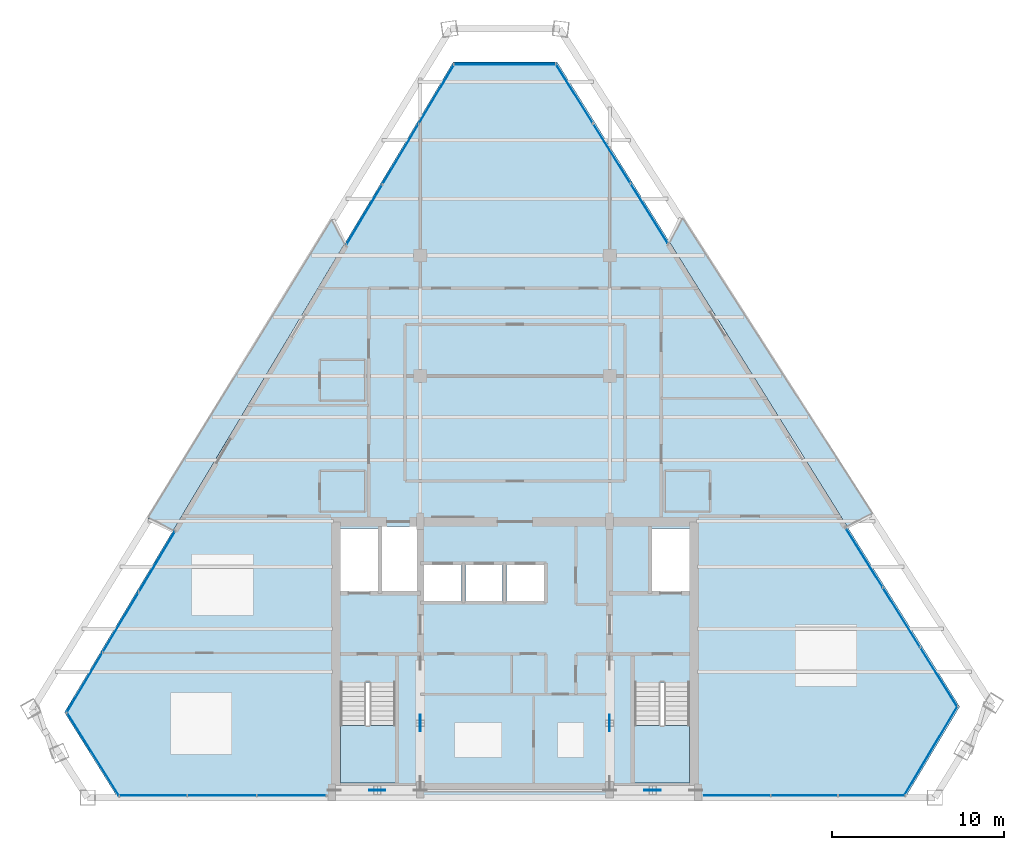
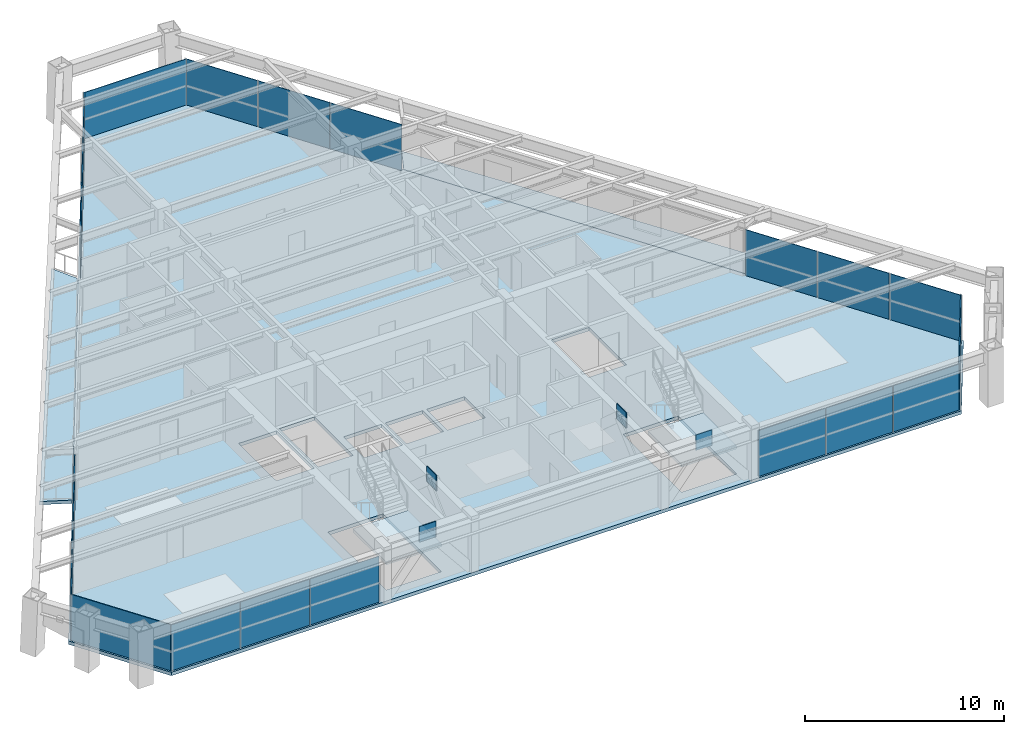
# One storey, part 7 of 12: 25 plates, 5 slabs, 11 elements without a shape of their own.
"""IFC4 building model written with IfcOpenShell, lengths in metres."""

from ifc_helpers import new_model, si_unit, direction, frame, origin, origin_2d, place, context, subcontext, project, spatial, polyline, rectangle, outline, extrude, source, transform, mapped, material, layer, layer_set, type_object, element, aggregate, save


model = new_model("IFC4")

# Units and contexts
model_context = context("Model", 3, precision=1e-05, world=origin(), true_north=direction((0.0, 1.0)))
body_context = subcontext(model_context, "Body", "Model", "MODEL_VIEW")
ifc_project = project(units=[si_unit("LENGTHUNIT", "METRE"), si_unit("AREAUNIT", "SQUARE_METRE"), si_unit("VOLUMEUNIT", "CUBIC_METRE"), si_unit("PLANEANGLEUNIT", "RADIAN"), si_unit("MASSUNIT", "GRAM", prefix="KILO")], contexts=[model_context])

# Site, building, storey
site_placement = place(None, origin())
site = spatial("IfcSite", under=ifc_project, at=site_placement, CompositionType="ELEMENT")
building_placement = place(site_placement, origin())
building = spatial("IfcBuilding", under=site, at=building_placement, Name="Varnakhor Terracotta Tower", CompositionType="ELEMENT")
storey_placement = place(building_placement, frame((0.0, 0.0, 223.449951171875)))
storey = spatial("IfcBuildingStorey", under=building, at=storey_placement, Name="L57", CompositionType="ELEMENT", Elevation=223.449951171875)

# Slab
ifc_material_1 = material(Name="Concrete C40/50", Category="concrete")
ifc_layer_1 = layer(ifc_material_1, 0.2099609375, Name="Concrete C40/50")
ifc_layer_set_1 = layer_set([ifc_layer_1], Name="Concrete C40/50")
slab_type_1 = type_object("IfcSlabType", Name="SLB-HTL-210", PredefinedType="FLOOR", material=ifc_layer_set_1)
slab_1_placement = place(storey_placement, frame((0.0, 0.0, -0.2099609375)))
element("IfcSlab", 1, at=slab_1_placement, inside=storey, type_object=slab_type_1, Name="L57 Structural Floor Slab", PredefinedType="FLOOR", context=body_context, shape_type="SweptSolid", body=[
    extrude(outline(polyline([(-26.18115234375, 4.956298828125), (-3.592041015625, 42.739990234375), (2.450927734375, 42.739990234375), (25.844970703125, 5.282470703125), (22.68701171875, 0.0), (-23.085693359375, 0.0), (-26.18115234375, 4.956298828125)]), holes=[polyline([(-6.949951171875, 0.85009765625), (-6.949951171875, 6.695068359375), (-10.14990234375, 6.695068359375), (-10.14990234375, 0.85009765625), (-6.949951171875, 0.85009765625)]), polyline([(10.14990234375, 0.85009765625), (10.14990234375, 6.695068359375), (6.949951171875, 6.695068359375), (6.949951171875, 0.85009765625), (10.14990234375, 0.85009765625)]), polyline([(-3.10009765625, 11.419921875), (-3.10009765625, 13.52001953125), (-5.300048828125, 13.52001953125), (-5.300048828125, 11.419921875), (-3.10009765625, 11.419921875)]), polyline([(-0.719970703125, 11.419921875), (-0.719970703125, 13.52001953125), (-2.8798828125, 13.52001953125), (-2.8798828125, 11.419921875), (-0.719970703125, 11.419921875)]), polyline([(1.699951171875, 11.419921875), (1.699951171875, 13.52001953125), (-0.5, 13.52001953125), (-0.5, 11.419921875), (1.699951171875, 11.419921875)]), polyline([(-7.949951171875, 11.8798828125), (-7.949951171875, 15.64990234375), (-10.14990234375, 15.64990234375), (-10.14990234375, 11.8798828125), (-7.949951171875, 11.8798828125)]), polyline([(10.14990234375, 11.8798828125), (10.14990234375, 15.64990234375), (7.949951171875, 15.64990234375), (7.949951171875, 11.8798828125), (10.14990234375, 11.8798828125)]), polyline([(-5.699951171875, 11.8798828125), (-5.699951171875, 15.75), (-7.72998046875, 15.75), (-7.72998046875, 11.8798828125), (-5.699951171875, 11.8798828125)])]), origin(), (0.0, 0.0, 1.0), 0.2099609375),
])

# Stair, slab
stair_type = type_object("IfcStairType", Name="STR-CORE-HOTEL-1500", PredefinedType="HALF_TURN_STAIR", material=ifc_material_1)
stair_1_placement = place(storey_placement, origin())
stair_1 = element("IfcStair", 2, at=stair_1_placement, inside=storey, type_object=stair_type, Name="L57 Core Exit Stair ST-1", PredefinedType="HALF_TURN_STAIR")
ifc_layer_2 = layer(ifc_material_1, 0.179931640625, Name="Concrete C40/50")
ifc_layer_set_2 = layer_set([ifc_layer_2], Name="Concrete C40/50")
slab_type_2 = type_object("IfcSlabType", Name="SLB-LANDING-180", PredefinedType="LANDING", material=ifc_layer_set_2)
slab_2_placement = place(storey_placement, frame((0.0, 0.0, 1.525146484375)))
slab_2 = element("IfcSlab", 3, at=slab_2_placement, type_object=slab_type_2, Name="ST-1 landing 1", PredefinedType="LANDING", context=body_context, shape_type="SweptSolid", body=[
    extrude(outline(polyline([(-10.14990234375, 4.18994140625), (-10.14990234375, 0.85009765625), (-6.949951171875, 0.85009765625), (-6.949951171875, 4.18994140625), (-10.14990234375, 4.18994140625)])), origin(), (0.0, 0.0, 1.0), 0.199951171875),
])
aggregate(stair_1, [slab_2])

stair_2_placement = place(storey_placement, origin())
stair_2 = element("IfcStair", 4, at=stair_2_placement, inside=storey, type_object=stair_type, Name="L57 Core Exit Stair ST-2", PredefinedType="HALF_TURN_STAIR")
slab_3_placement = place(storey_placement, frame((0.0, 0.0, 1.525146484375)))
slab_3 = element("IfcSlab", 5, at=slab_3_placement, type_object=slab_type_2, Name="ST-2 landing 1", PredefinedType="LANDING", context=body_context, shape_type="SweptSolid", body=[
    extrude(outline(polyline([(6.949951171875, 4.18994140625), (6.949951171875, 0.85009765625), (10.14990234375, 0.85009765625), (10.14990234375, 4.18994140625), (6.949951171875, 4.18994140625)])), origin(), (0.0, 0.0, 1.0), 0.199951171875),
])
aggregate(stair_2, [slab_3])

# Slabs
ifc_layer_3 = layer(ifc_material_1, 0.195068359375, Name="Concrete C40/50")
ifc_layer_set_3 = layer_set([ifc_layer_3], Name="Concrete C40/50")
slab_type_3 = type_object("IfcSlabType", Name="SLB-LOGGIA-EXT-195", PredefinedType="FLOOR", material=ifc_layer_set_3)
slab_4_placement = place(storey_placement, frame((0.0, 0.0, -0.195068359375)))
element("IfcSlab", 6, at=slab_4_placement, inside=storey, type_object=slab_type_3, Name="L57 E Recessed Outdoor Loggia Slab", PredefinedType="FLOOR", context=body_context, shape_type="SweptSolid", body=[
    extrude(outline(polyline([(9.71337890625, 33.706298828125), (20.76708984375, 16.481689453125), (19.294677734375, 15.7705078125), (9.001220703125, 32.251953125), (9.71337890625, 33.706298828125)])), origin(), (0.0, 0.0, 1.0), 0.195068359375),
])
slab_5_placement = place(storey_placement, frame((0.0, 0.0, -0.195068359375)))
element("IfcSlab", 7, at=slab_5_placement, inside=storey, type_object=slab_type_3, Name="L57 W Recessed Outdoor Loggia Slab", PredefinedType="FLOOR", context=body_context, shape_type="SweptSolid", body=[
    extrude(outline(polyline([(-21.33935546875, 16.236083984375), (-10.633056640625, 33.610595703125), (-9.9169921875, 32.16064453125), (-11.05419921875, 30.25830078125), (-19.856201171875, 15.53564453125), (-21.33935546875, 16.236083984375)])), origin(), (0.0, 0.0, 1.0), 0.195068359375),
])

# Plates
ifc_material_2 = material(Name="Steel S460", Category="steel")
ifc_layer_4 = layer(ifc_material_2, 0.050048828125, Name="Steel S460")
ifc_layer_set_4 = layer_set([ifc_layer_4], Name="Steel S460")
plate_type_1 = type_object("IfcPlateType", Name="PLT-GUSSET-50", PredefinedType="USERDEFINED", material=ifc_layer_set_4)
shared_shape_1 = source(origin(), body_context, "Body", "SweptSolid", [
    extrude(rectangle(XDim=0.949951171875, YDim=0.044921875, at=origin_2d()), origin(), (0.0, 0.0, 1.0), 0.949951171875),
])
for number, where, z_axis, x_axis, name in (
    (8, (-8.0, 0.419921875, 2.615234375), (0.0, 0.0, 1.0), (1.0, 0.0, 0.0), "L57 Core Brace Apex Gusset CSW"),
    (9, (8.0, 0.419921875, 2.615234375), (0.0, 0.0, 1.0), (1.0, 0.0, 0.0), "L57 Core Brace Apex Gusset CSE"),
    (10, (-5.5, 4.324951171875, 2.615234375), (0.0, 0.0, 1.0), (0.0, 1.0, 0.0), "L57 Core Brace Apex Gusset CWW"),
    (11, (5.5, 4.324951171875, 2.615234375), (0.0, 0.0, 1.0), (0.0, 1.0, 0.0), "L57 Core Brace Apex Gusset CWE"),
):
    element("IfcPlate", number, at=place(storey_placement, frame(where, z_axis=z_axis, x_axis=x_axis)), inside=storey, type_object=plate_type_1, Name=name, ObjectType="GUSSET PLATE", PredefinedType="USERDEFINED", context=body_context, shape_type="MappedRepresentation", body=[
        mapped(shared_shape_1, transform((0.0, 0.0, 0.0), scale=1.0)),
    ])

# Curtain wall, plates
ifc_material_3 = material(Name="Anodised Aluminium Curtain Wall System", Category="aluminium")
curtain_wall_type = type_object("IfcCurtainWallType", Name="CW-SYS-HOTEL-LOGGIA", PredefinedType="NOTDEFINED", material=ifc_material_3)
curtain_wall_1_placement = place(storey_placement, origin())
curtain_wall_1 = element("IfcCurtainWall", 12, at=curtain_wall_1_placement, inside=storey, type_object=curtain_wall_type, Name="L57 W Facet Curtain Wall 1", PredefinedType="NOTDEFINED")
ifc_material_4 = material(Name="Solar-Control Low-E Insulated Glass Panel", Category="glass")
ifc_layer_5 = layer(ifc_material_4, 0.033935546875, Name="Solar-Control Low-E Insulated Glass Panel")
ifc_layer_set_5 = layer_set([ifc_layer_5], Name="Solar-Control Low-E Insulated Glass Panel")
plate_type_2 = type_object("IfcPlateType", Name="CWP-04", PredefinedType="CURTAIN_PANEL", material=ifc_layer_set_5)
shared_shape_2 = source(origin(), body_context, "Body", "SweptSolid", [
    extrude(rectangle(XDim=4.048583984375, YDim=0.035888671875, at=origin_2d()), origin(), (0.0, 0.0, 1.0), 2.820068359375),
])
plate_1_placement = place(storey_placement, frame((-25.013671875, 6.675048828125, 0.0), z_axis=(0.0, 0.0, 1.0), x_axis=(0.513136841492, 0.858306811055, 0.0)))
plate_1 = element("IfcPlate", 13, at=plate_1_placement, type_object=plate_type_2, Name="L57 W Facet Curtain Wall 1 Glazed Panel 1", PredefinedType="CURTAIN_PANEL", context=body_context, shape_type="MappedRepresentation", body=[
    mapped(shared_shape_2, transform((0.0, 0.0, 0.0), scale=1.0)),
])
plate_2_placement = place(storey_placement, frame((-22.91552734375, 10.184326171875, 0.0), z_axis=(0.0, 0.0, 1.0), x_axis=(0.513136841492, 0.858306811055, 0.0)))
plate_2 = element("IfcPlate", 14, at=plate_2_placement, type_object=plate_type_2, Name="L57 W Facet Curtain Wall 1 Glazed Panel 2", PredefinedType="CURTAIN_PANEL", context=body_context, shape_type="MappedRepresentation", body=[
    mapped(shared_shape_2, transform((0.0, 0.0, 0.0), scale=1.0)),
])

curtain_wall_2_placement = place(storey_placement, origin())
curtain_wall_2 = element("IfcCurtainWall", 15, at=curtain_wall_2_placement, inside=storey, type_object=curtain_wall_type, Name="L57 W Facet Curtain Wall 2", PredefinedType="NOTDEFINED")
plate_3_placement = place(storey_placement, frame((-8.74951171875, 33.87939453125, 0.0), z_axis=(0.0, 0.0, 1.0), x_axis=(0.513136841492, 0.858306811055, 0.0)))
plate_3 = element("IfcPlate", 16, at=plate_3_placement, type_object=plate_type_2, Name="L57 W Facet Curtain Wall 2 Glazed Panel 1", PredefinedType="CURTAIN_PANEL", context=body_context, shape_type="MappedRepresentation", body=[
    mapped(shared_shape_2, transform((0.0, 0.0, 0.0), scale=1.0)),
])
plate_4_placement = place(storey_placement, frame((-6.651611328125, 37.388916015625, 0.0), z_axis=(0.0, 0.0, 1.0), x_axis=(0.513136841492, 0.858306811055, 0.0)))
plate_4 = element("IfcPlate", 17, at=plate_4_placement, type_object=plate_type_2, Name="L57 W Facet Curtain Wall 2 Glazed Panel 2", PredefinedType="CURTAIN_PANEL", context=body_context, shape_type="MappedRepresentation", body=[
    mapped(shared_shape_2, transform((0.0, 0.0, 0.0), scale=1.0)),
])

# Plate
shared_shape_3 = source(origin(), body_context, "Body", "SweptSolid", [
    extrude(rectangle(XDim=4.048828125, YDim=0.035888671875, at=origin_2d()), origin(), (0.0, 0.0, 1.0), 2.820068359375),
])
plate_5_placement = place(storey_placement, frame((-20.8173828125, 13.693603515625, 0.0), z_axis=(0.0, 0.0, 1.0), x_axis=(0.513136841492, 0.858306811055, 0.0)))
plate_5 = element("IfcPlate", 18, at=plate_5_placement, type_object=plate_type_2, Name="L57 W Facet Curtain Wall 1 Glazed Panel 3", PredefinedType="CURTAIN_PANEL", context=body_context, shape_type="MappedRepresentation", body=[
    mapped(shared_shape_3, transform((0.0, 0.0, 0.0), scale=1.0)),
])

aggregate(curtain_wall_1, [plate_1, plate_2, plate_5])

plate_6_placement = place(storey_placement, frame((-4.553466796875, 40.898193359375, 0.0), z_axis=(0.0, 0.0, 1.0), x_axis=(0.513136841492, 0.858306811055, 0.0)))
plate_6 = element("IfcPlate", 19, at=plate_6_placement, type_object=plate_type_2, Name="L57 W Facet Curtain Wall 2 Glazed Panel 3", PredefinedType="CURTAIN_PANEL", context=body_context, shape_type="MappedRepresentation", body=[
    mapped(shared_shape_3, transform((0.0, 0.0, 0.0), scale=1.0)),
])

aggregate(curtain_wall_2, [plate_3, plate_4, plate_6])

# Curtain wall, plate
curtain_wall_3_placement = place(storey_placement, origin())
curtain_wall_3 = element("IfcCurtainWall", 20, at=curtain_wall_3_placement, inside=storey, type_object=curtain_wall_type, Name="L57 Facet Curtain Wall 2", PredefinedType="NOTDEFINED")
shared_shape_4 = source(origin(), body_context, "Body", "SweptSolid", [
    extrude(rectangle(XDim=5.943115234375, YDim=0.035888671875, at=origin_2d()), origin(), (0.0, 0.0, 1.0), 2.820068359375),
])
plate_7_placement = place(storey_placement, frame((-0.570556640625, 42.6201171875, 0.0), z_axis=(0.0, 0.0, 1.0), x_axis=(1.0, 0.0, 0.0)))
plate_7 = element("IfcPlate", 21, at=plate_7_placement, type_object=plate_type_2, Name="L57 Facet Curtain Wall 2 Glazed Panel 1", PredefinedType="CURTAIN_PANEL", context=body_context, shape_type="MappedRepresentation", body=[
    mapped(shared_shape_4, transform((0.0, 0.0, 0.0), scale=1.0)),
])
aggregate(curtain_wall_3, [plate_7])

# Curtain wall, plates
curtain_wall_4_placement = place(storey_placement, origin())
curtain_wall_4 = element("IfcCurtainWall", 22, at=curtain_wall_4_placement, inside=storey, type_object=curtain_wall_type, Name="L57 E Facet Curtain Wall 1", PredefinedType="NOTDEFINED")
shared_shape_5 = source(origin(), body_context, "Body", "SweptSolid", [
    extrude(rectangle(XDim=4.06201171875, YDim=0.035888671875, at=origin_2d()), origin(), (0.0, 0.0, 1.0), 2.820068359375),
])
plate_8_placement = place(storey_placement, frame((3.45166015625, 40.91162109375, 0.0), z_axis=(0.0, 0.0, 1.0), x_axis=(0.529726834585, -0.848168309194, 0.0)))
plate_8 = element("IfcPlate", 23, at=plate_8_placement, type_object=plate_type_2, Name="L57 E Facet Curtain Wall 1 Glazed Panel 1", PredefinedType="CURTAIN_PANEL", context=body_context, shape_type="MappedRepresentation", body=[
    mapped(shared_shape_5, transform((0.0, 0.0, 0.0), scale=1.0)),
])
plate_9_placement = place(storey_placement, frame((5.62451171875, 37.4326171875, 0.0), z_axis=(0.0, 0.0, 1.0), x_axis=(0.529726834585, -0.848168309194, 0.0)))
plate_9 = element("IfcPlate", 24, at=plate_9_placement, type_object=plate_type_2, Name="L57 E Facet Curtain Wall 1 Glazed Panel 2", PredefinedType="CURTAIN_PANEL", context=body_context, shape_type="MappedRepresentation", body=[
    mapped(shared_shape_5, transform((0.0, 0.0, 0.0), scale=1.0)),
])

curtain_wall_5_placement = place(storey_placement, origin())
curtain_wall_5 = element("IfcCurtainWall", 25, at=curtain_wall_5_placement, inside=storey, type_object=curtain_wall_type, Name="L57 E Facet Curtain Wall 2", PredefinedType="NOTDEFINED")
plate_10_placement = place(storey_placement, frame((20.295166015625, 13.942138671875, 0.0), z_axis=(0.0, 0.0, 1.0), x_axis=(0.529726834585, -0.848168309194, 0.0)))
plate_10 = element("IfcPlate", 26, at=plate_10_placement, type_object=plate_type_2, Name="L57 E Facet Curtain Wall 2 Glazed Panel 1", PredefinedType="CURTAIN_PANEL", context=body_context, shape_type="MappedRepresentation", body=[
    mapped(shared_shape_5, transform((0.0, 0.0, 0.0), scale=1.0)),
])
plate_11_placement = place(storey_placement, frame((24.640869140625, 6.98388671875, 0.0), z_axis=(0.0, 0.0, 1.0), x_axis=(0.529726834585, -0.848168309194, 0.0)))
plate_11 = element("IfcPlate", 27, at=plate_11_placement, type_object=plate_type_2, Name="L57 E Facet Curtain Wall 2 Glazed Panel 3", PredefinedType="CURTAIN_PANEL", context=body_context, shape_type="MappedRepresentation", body=[
    mapped(shared_shape_5, transform((0.0, 0.0, 0.0), scale=1.0)),
])

# Plate
shared_shape_6 = source(origin(), body_context, "Body", "SweptSolid", [
    extrude(rectangle(XDim=4.061767578125, YDim=0.035888671875, at=origin_2d()), origin(), (0.0, 0.0, 1.0), 2.820068359375),
])
plate_12_placement = place(storey_placement, frame((7.797119140625, 33.953369140625, 0.0), z_axis=(0.0, 0.0, 1.0), x_axis=(0.529726834585, -0.848168309194, 0.0)))
plate_12 = element("IfcPlate", 28, at=plate_12_placement, type_object=plate_type_2, Name="L57 E Facet Curtain Wall 1 Glazed Panel 3", PredefinedType="CURTAIN_PANEL", context=body_context, shape_type="MappedRepresentation", body=[
    mapped(shared_shape_6, transform((0.0, 0.0, 0.0), scale=1.0)),
])

aggregate(curtain_wall_4, [plate_8, plate_9, plate_12])

plate_13_placement = place(storey_placement, frame((22.468017578125, 10.462890625, 0.0), z_axis=(0.0, 0.0, 1.0), x_axis=(0.529726834585, -0.848168309194, 0.0)))
plate_13 = element("IfcPlate", 29, at=plate_13_placement, type_object=plate_type_2, Name="L57 E Facet Curtain Wall 2 Glazed Panel 2", PredefinedType="CURTAIN_PANEL", context=body_context, shape_type="MappedRepresentation", body=[
    mapped(shared_shape_6, transform((0.0, 0.0, 0.0), scale=1.0)),
])

aggregate(curtain_wall_5, [plate_10, plate_13, plate_11])

# Curtain wall, plate
curtain_wall_6_placement = place(storey_placement, origin())
curtain_wall_6 = element("IfcCurtainWall", 30, at=curtain_wall_6_placement, inside=storey, type_object=curtain_wall_type, Name="L57 Facet Curtain Wall 4", PredefinedType="NOTDEFINED")
shared_shape_7 = source(origin(), body_context, "Body", "SweptSolid", [
    extrude(rectangle(XDim=6.054443359375, YDim=0.035888671875, at=origin_2d()), origin(), (0.0, 0.0, 1.0), 2.820068359375),
])
plate_14_placement = place(storey_placement, frame((24.1630859375, 2.702880859375, 0.0), z_axis=(0.0, 0.0, 1.0), x_axis=(-0.513136841492, -0.858306811055, 0.0)))
plate_14 = element("IfcPlate", 31, at=plate_14_placement, type_object=plate_type_2, Name="L57 Facet Curtain Wall 4 Glazed Panel 1", PredefinedType="CURTAIN_PANEL", context=body_context, shape_type="MappedRepresentation", body=[
    mapped(shared_shape_7, transform((0.0, 0.0, 0.0), scale=1.0)),
])
aggregate(curtain_wall_6, [plate_14])

# Curtain wall, plates
curtain_wall_7_placement = place(storey_placement, origin())
curtain_wall_7 = element("IfcCurtainWall", 32, at=curtain_wall_7_placement, inside=storey, type_object=curtain_wall_type, Name="L57 South Wing Curtain Wall SSE", PredefinedType="NOTDEFINED")
shared_shape_8 = source(origin(), body_context, "Body", "SweptSolid", [
    extrude(rectangle(XDim=3.8623046875, YDim=0.035888671875, at=origin_2d()), origin(), (0.0, 0.0, 1.0), 2.820068359375),
])
plate_15_placement = place(storey_placement, frame((20.7255859375, 0.1201171875, 0.0), z_axis=(0.0, 0.0, 1.0), x_axis=(-1.0, 0.0, 0.0)))
plate_15 = element("IfcPlate", 33, at=plate_15_placement, type_object=plate_type_2, Name="L57 South Wing Curtain Wall SSE Glazed Panel 1", PredefinedType="CURTAIN_PANEL", context=body_context, shape_type="MappedRepresentation", body=[
    mapped(shared_shape_8, transform((0.0, 0.0, 0.0), scale=1.0)),
])
plate_16_placement = place(storey_placement, frame((16.823486328125, 0.1201171875, 0.0), z_axis=(0.0, 0.0, 1.0), x_axis=(-1.0, 0.0, 0.0)))
plate_16 = element("IfcPlate", 34, at=plate_16_placement, type_object=plate_type_2, Name="L57 South Wing Curtain Wall SSE Glazed Panel 2", PredefinedType="CURTAIN_PANEL", context=body_context, shape_type="MappedRepresentation", body=[
    mapped(shared_shape_8, transform((0.0, 0.0, 0.0), scale=1.0)),
])
plate_17_placement = place(storey_placement, frame((12.921142578125, 0.1201171875, 0.0), z_axis=(0.0, 0.0, 1.0), x_axis=(-1.0, 0.0, 0.0)))
plate_17 = element("IfcPlate", 35, at=plate_17_placement, type_object=plate_type_2, Name="L57 South Wing Curtain Wall SSE Glazed Panel 3", PredefinedType="CURTAIN_PANEL", context=body_context, shape_type="MappedRepresentation", body=[
    mapped(shared_shape_8, transform((0.0, 0.0, 0.0), scale=1.0)),
])
aggregate(curtain_wall_7, [plate_15, plate_16, plate_17])

curtain_wall_8_placement = place(storey_placement, origin())
curtain_wall_8 = element("IfcCurtainWall", 36, at=curtain_wall_8_placement, inside=storey, type_object=curtain_wall_type, Name="L57 South Wing Curtain Wall SSW", PredefinedType="NOTDEFINED")
shared_shape_9 = source(origin(), body_context, "Body", "SweptSolid", [
    extrude(rectangle(XDim=3.9951171875, YDim=0.035888671875, at=origin_2d()), origin(), (0.0, 0.0, 1.0), 2.820068359375),
])
plate_18_placement = place(storey_placement, frame((-12.987548828125, 0.1201171875, 0.0), z_axis=(0.0, 0.0, 1.0), x_axis=(-1.0, 0.0, 0.0)))
plate_18 = element("IfcPlate", 37, at=plate_18_placement, type_object=plate_type_2, Name="L57 South Wing Curtain Wall SSW Glazed Panel 1", PredefinedType="CURTAIN_PANEL", context=body_context, shape_type="MappedRepresentation", body=[
    mapped(shared_shape_9, transform((0.0, 0.0, 0.0), scale=1.0)),
])
plate_19_placement = place(storey_placement, frame((-21.05810546875, 0.1201171875, 0.0), z_axis=(0.0, 0.0, 1.0), x_axis=(-1.0, 0.0, 0.0)))
plate_19 = element("IfcPlate", 38, at=plate_19_placement, type_object=plate_type_2, Name="L57 South Wing Curtain Wall SSW Glazed Panel 3", PredefinedType="CURTAIN_PANEL", context=body_context, shape_type="MappedRepresentation", body=[
    mapped(shared_shape_9, transform((0.0, 0.0, 0.0), scale=1.0)),
])
shared_shape_10 = source(origin(), body_context, "Body", "SweptSolid", [
    extrude(rectangle(XDim=3.995361328125, YDim=0.035888671875, at=origin_2d()), origin(), (0.0, 0.0, 1.0), 2.820068359375),
])
plate_20_placement = place(storey_placement, frame((-17.02294921875, 0.1201171875, 0.0), z_axis=(0.0, 0.0, 1.0), x_axis=(-1.0, 0.0, 0.0)))
plate_20 = element("IfcPlate", 39, at=plate_20_placement, type_object=plate_type_2, Name="L57 South Wing Curtain Wall SSW Glazed Panel 2", PredefinedType="CURTAIN_PANEL", context=body_context, shape_type="MappedRepresentation", body=[
    mapped(shared_shape_10, transform((0.0, 0.0, 0.0), scale=1.0)),
])
aggregate(curtain_wall_8, [plate_18, plate_20, plate_19])

# Curtain wall, plate
curtain_wall_9_placement = place(storey_placement, origin())
curtain_wall_9 = element("IfcCurtainWall", 40, at=curtain_wall_9_placement, inside=storey, type_object=curtain_wall_type, Name="L57 Facet Curtain Wall 6", PredefinedType="NOTDEFINED")
shared_shape_11 = source(origin(), body_context, "Body", "SweptSolid", [
    extrude(rectangle(XDim=5.743408203125, YDim=0.035888671875, at=origin_2d()), origin(), (0.0, 0.0, 1.0), 2.820068359375),
])
plate_21_placement = place(storey_placement, frame((-24.531494140625, 2.541748046875, 0.0), z_axis=(0.0, 0.0, 1.0), x_axis=(-0.529726834585, 0.848168309194, 0.0)))
plate_21 = element("IfcPlate", 41, at=plate_21_placement, type_object=plate_type_2, Name="L57 Facet Curtain Wall 6 Glazed Panel 1", PredefinedType="CURTAIN_PANEL", context=body_context, shape_type="MappedRepresentation", body=[
    mapped(shared_shape_11, transform((0.0, 0.0, 0.0), scale=1.0)),
])
aggregate(curtain_wall_9, [plate_21])

save(model, "model.ifc")
